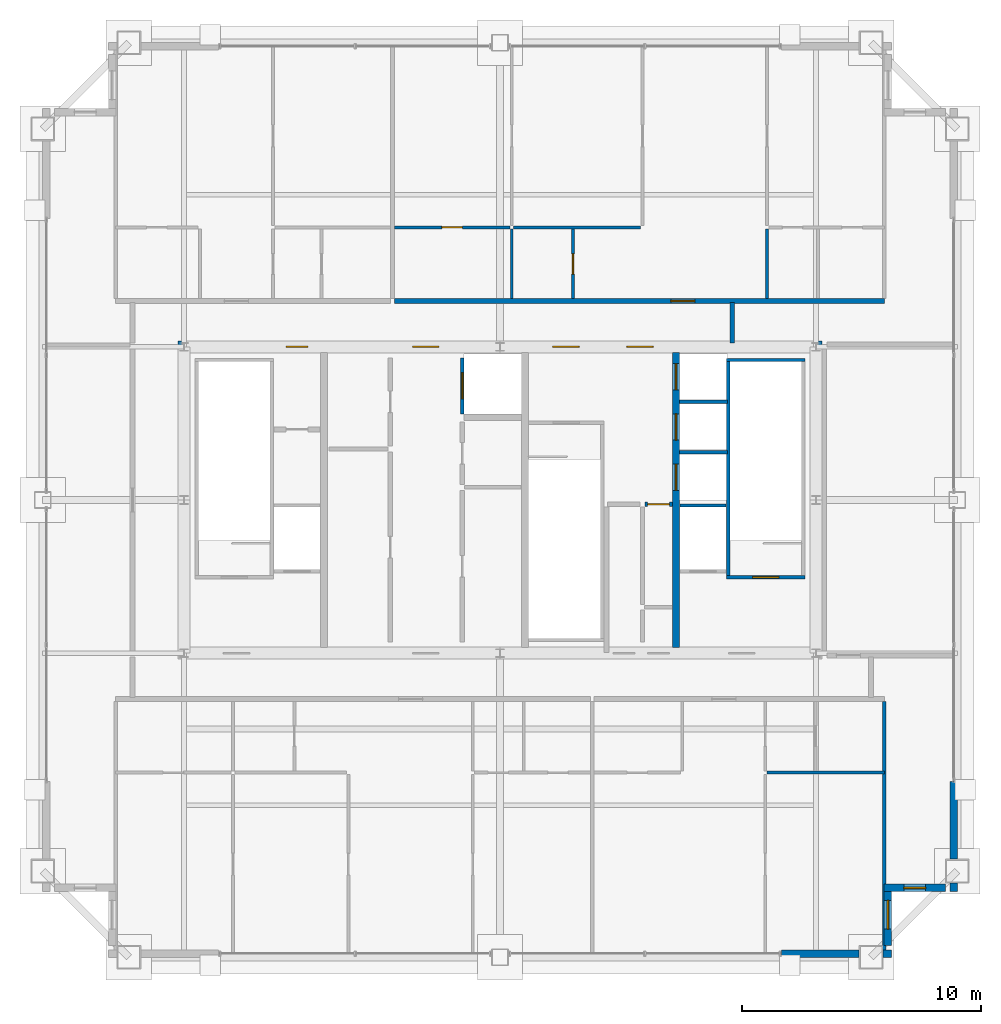
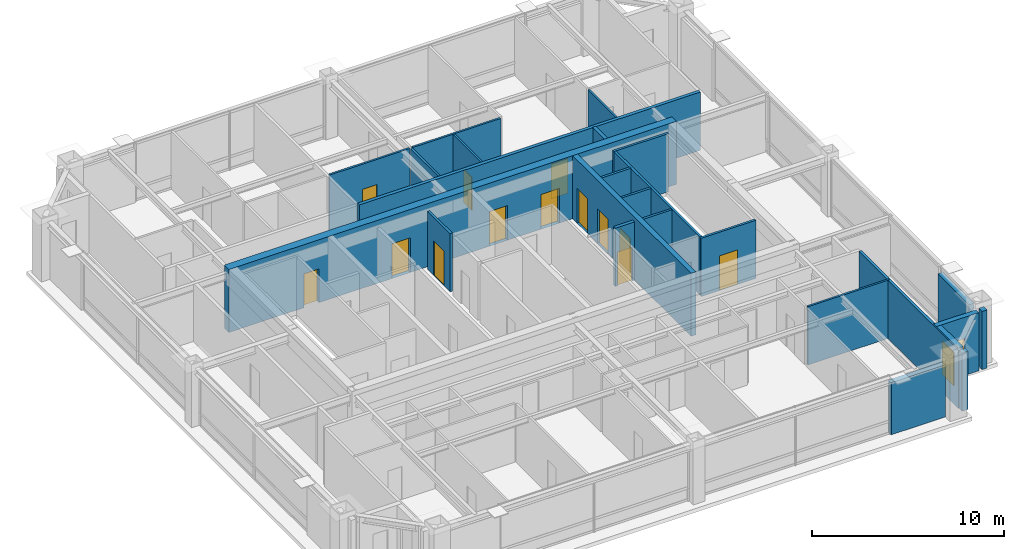
# One storey, part 32 of 34: 25 walls, 13 doors, 2 windows, 15 openings.
"""IFC4 building model written with IfcOpenShell, lengths in metres."""

from ifc_helpers import new_model, si_unit, direction, frame, frame_2d, origin, place, context, subcontext, project, spatial, rectangle, extrude, source, transform, mapped, material, layer, layer_set, type_object, element, fill, save


model = new_model("IFC4")

# Units and contexts
model_context = context("Model", 3, precision=1e-05, world=origin(), true_north=direction((0.0, 1.0)))
body_context = subcontext(model_context, "Body", "Model", "MODEL_VIEW")
ifc_project = project(units=[si_unit("LENGTHUNIT", "METRE"), si_unit("AREAUNIT", "SQUARE_METRE"), si_unit("VOLUMEUNIT", "CUBIC_METRE"), si_unit("PLANEANGLEUNIT", "RADIAN"), si_unit("MASSUNIT", "GRAM", prefix="KILO"), si_unit("THERMODYNAMICTEMPERATUREUNIT", "KELVIN"), si_unit("POWERUNIT", "WATT")], contexts=[model_context])

# Site, building, storey
site_placement = place(None, origin())
site = spatial("IfcSite", under=ifc_project, at=site_placement, CompositionType="ELEMENT")
building_placement = place(site_placement, origin())
building = spatial("IfcBuilding", under=site, at=building_placement, Name="Yuzanri Waterfront Tower", CompositionType="ELEMENT")
storey_placement = place(building_placement, frame((0.0, 0.0, 347.199951171875)))
storey = spatial("IfcBuildingStorey", under=building, at=storey_placement, Name="L93", CompositionType="ELEMENT", Elevation=347.199951171875)

# Wall, opening, door
ifc_material_1 = material(Name="Moisture-Resistant Gypsum Stud Wall", Category="gypsum")
ifc_layer_1 = layer(ifc_material_1, 0.1201171875)
ifc_layer_set_1 = layer_set([ifc_layer_1], Name="Moisture-Resistant Gypsum Stud Wall")
wall_type_1 = type_object("IfcWallType", Name="Bathroom and Kitchen Wet Partition 120", PredefinedType="PARTITIONING", material=ifc_layer_set_1)
wall_1_placement = place(storey_placement, frame((32.5830078125, 37.18994140625, 0.0), z_axis=(0.0, 0.0, 1.0), x_axis=(1.0, 0.0, 0.0)))
wall_1 = element("IfcWall", 1, at=wall_1_placement, inside=storey, type_object=wall_type_1, Name="L93 Partition UW-L93-HN2-SUB-1-N", PredefinedType="PARTITIONING", context=body_context, shape_type="SweptSolid", body=[
    extrude(rectangle(XDim=4.830078125, YDim=0.1201171875, at=frame_2d((2.4150390625, 0.0))), origin(), (0.0, 0.0, 1.0), 3.699951171875),
])
opening_1_placement = place(wall_1_placement, frame((1.989990234375, 0.0, 0.0)))
opening_1 = element("IfcOpeningElement", 2, at=opening_1_placement, cuts=wall_1, Name="Opening ID-0850", PredefinedType="OPENING", context=body_context, shape_type="SweptSolid", body=[
    extrude(rectangle(XDim=0.85009765625, YDim=2.10009765625, at=frame_2d((0.425048828125, 1.050048828125))), frame((0.0, 0.074951171875, 0.0), z_axis=(0.0, -1.0, 0.0), x_axis=(1.0, 0.0, 0.0)), (0.0, 0.0, 1.0), 0.14990234375),
])
ifc_material_2 = material(Name="Moisture-Resistant Lacquered Timber", Category="wood")
door_type_1 = type_object("IfcDoorType", Name="En-Suite Bathroom and Kitchen Swing Door 850x2100", OperationType="NOTDEFINED", PredefinedType="DOOR", material=ifc_material_2)
shared_shape_1 = source(origin(), body_context, "Body", "SweptSolid", [
    extrude(rectangle(XDim=0.85009765625, YDim=2.10009765625, at=frame_2d((0.425048828125, 1.050048828125))), frame((0.0, 0.02490234375, 0.0), z_axis=(0.0, -1.0, 0.0), x_axis=(1.0, 0.0, 0.0)), (0.0, 0.0, 1.0), 0.050048828125),
])
door_1_placement = place(opening_1_placement, origin())
door_1 = element("IfcDoor", 3, at=door_1_placement, inside=storey, type_object=door_type_1, Name="L93 Suite Interior Room Door", OperationType="SINGLE_SWING_LEFT", OverallHeight=2.10009765625, OverallWidth=0.85009765625, PredefinedType="DOOR", context=body_context, shape_type="MappedRepresentation", body=[
    mapped(shared_shape_1, transform((0.0, 0.0, 0.0), scale=1.0)),
])
fill(opening_1, door_1)

wall_2_placement = place(storey_placement, frame((40.052978515625, 34.2099609375, 0.0), z_axis=(0.0, 0.0, 1.0), x_axis=(0.0, 1.0, 0.0)))
wall_2 = element("IfcWall", 4, at=wall_2_placement, inside=storey, type_object=wall_type_1, Name="L93 Partition UW-L93-HN2-SUB-2-E", PredefinedType="PARTITIONING", context=body_context, shape_type="SweptSolid", body=[
    extrude(rectangle(XDim=2.900146484375, YDim=0.1201171875, at=frame_2d((1.4501953125, 0.0))), origin(), (0.0, 0.0, 1.0), 3.699951171875),
])
opening_2_placement = place(wall_2_placement, frame((1.02490234375, 0.0, 0.0)))
opening_2 = element("IfcOpeningElement", 5, at=opening_2_placement, cuts=wall_2, Name="Opening ID-0850", PredefinedType="OPENING", context=body_context, shape_type="SweptSolid", body=[
    extrude(rectangle(XDim=0.85009765625, YDim=2.10009765625, at=frame_2d((0.425048828125, 1.050048828125))), frame((0.0, 0.074951171875, 0.0), z_axis=(0.0, -1.0, 0.0), x_axis=(1.0, 0.0, 0.0)), (0.0, 0.0, 1.0), 0.14990234375),
])
door_2_placement = place(opening_2_placement, origin())
door_2 = element("IfcDoor", 6, at=door_2_placement, inside=storey, type_object=door_type_1, Name="L93 Suite Interior Room Door", OperationType="SINGLE_SWING_RIGHT", OverallHeight=2.10009765625, OverallWidth=0.85009765625, PredefinedType="DOOR", context=body_context, shape_type="MappedRepresentation", body=[
    mapped(shared_shape_1, transform((0.0, 0.0, 0.0), scale=1.0)),
])
fill(opening_2, door_2)

# Wall, opening, window
ifc_material_3 = material(Name="Honed Chongqing Dark Basalt Stone", Category="masonry")
ifc_layer_2 = layer(ifc_material_3, 0.300048828125)
ifc_layer_set_2 = layer_set([ifc_layer_2], Name="Honed Chongqing Dark Basalt Stone")
wall_type_2 = type_object("IfcWallType", Name="Bronze Rainscreen Insulated Spandrel Portal Wall 300", PredefinedType="SOLIDWALL", material=ifc_layer_set_2)
wall_3_placement = place(storey_placement, frame((53.050048828125, 9.60009765625, 0.0), z_axis=(0.0, 0.0, 1.0), x_axis=(1.0, 0.0, 0.0)))
wall_3 = element("IfcWall", 7, at=wall_3_placement, inside=storey, type_object=wall_type_2, Name="L93 Notched Corner Masonry Wall SE-X", PredefinedType="SOLIDWALL", context=body_context, shape_type="SweptSolid", body=[
    extrude(rectangle(XDim=2.550048828125, YDim=0.300048828125, at=frame_2d((1.27490234375, 0.0))), origin(), (0.0, 0.0, 1.0), 3.699951171875),
])
opening_3_placement = place(wall_3_placement, frame((0.824951171875, 0.0, 0.85009765625)))
opening_3 = element("IfcOpeningElement", 8, at=opening_3_placement, cuts=wall_3, Name="Opening WN-05", PredefinedType="OPENING", context=body_context, shape_type="SweptSolid", body=[
    extrude(rectangle(XDim=0.89990234375, YDim=1.5, at=frame_2d((0.449951171875, 0.75))), frame((0.0, 0.1650390625, 0.0), z_axis=(0.0, -1.0, 0.0), x_axis=(1.0, 0.0, 0.0)), (0.0, 0.0, 1.0), 0.329833984375),
])
ifc_material_4 = material(Name="Double-Silver Low-E Insulated Glass", Category="glass")
window_type_1 = type_object("IfcWindowType", Name="Anodized Bronze Service and Stairwell Smoke-Vent Window 900x1500", PartitioningType="SINGLE_PANEL", PredefinedType="WINDOW", material=ifc_material_4)
shared_shape_2 = source(origin(), body_context, "Body", "SweptSolid", [
    extrude(rectangle(XDim=0.89990234375, YDim=1.5, at=frame_2d((0.449951171875, 0.75))), frame((0.0, 0.030029296875, 0.0), z_axis=(0.0, -1.0, 0.0), x_axis=(1.0, 0.0, 0.0)), (0.0, 0.0, 1.0), 0.06005859375),
])
window_1_placement = place(opening_3_placement, origin())
window_1 = element("IfcWindow", 9, at=window_1_placement, inside=storey, type_object=window_type_1, Name="L93 Notched Corner Window SE-X", OverallHeight=1.5, OverallWidth=0.89990234375, PartitioningType="SINGLE_PANEL", PredefinedType="WINDOW", context=body_context, shape_type="MappedRepresentation", body=[
    mapped(shared_shape_2, transform((0.0, 0.0, 0.0), scale=1.0)),
])
fill(opening_3, window_1)

wall_4_placement = place(storey_placement, frame((53.199951171875, 7.199951171875, 0.0), z_axis=(0.0, 0.0, 1.0), x_axis=(0.0, 1.0, 0.0)))
wall_4 = element("IfcWall", 10, at=wall_4_placement, inside=storey, type_object=wall_type_2, Name="L93 Notched Corner Masonry Wall SE-Y", PredefinedType="SOLIDWALL", context=body_context, shape_type="SweptSolid", body=[
    extrude(rectangle(XDim=2.550048828125, YDim=0.300048828125, at=frame_2d((1.27490234375, 0.0))), origin(), (0.0, 0.0, 1.0), 3.699951171875),
])
opening_4_placement = place(wall_4_placement, frame((0.675048828125, 0.0, 0.85009765625)))
opening_4 = element("IfcOpeningElement", 11, at=opening_4_placement, cuts=wall_4, Name="Opening WN-02", PredefinedType="OPENING", context=body_context, shape_type="SweptSolid", body=[
    extrude(rectangle(XDim=1.199951171875, YDim=2.10009765625, at=frame_2d((0.60009765625, 1.050048828125))), frame((0.0, 0.1650390625, 0.0), z_axis=(0.0, -1.0, 0.0), x_axis=(1.0, 0.0, 0.0)), (0.0, 0.0, 1.0), 0.329833984375),
])
ifc_material_5 = material(Name="Double-Silver Low-E Insulated Glass", Category="glass")
window_type_2 = type_object("IfcWindowType", Name="Anodized Bronze Notched Corner Deep-Set Slot Window 1200x2100", PartitioningType="SINGLE_PANEL", PredefinedType="WINDOW", material=ifc_material_5)
shared_shape_3 = source(origin(), body_context, "Body", "SweptSolid", [
    extrude(rectangle(XDim=1.199951171875, YDim=2.10009765625, at=frame_2d((0.60009765625, 1.050048828125))), frame((0.0, 0.030029296875, 0.0), z_axis=(0.0, -1.0, 0.0), x_axis=(1.0, 0.0, 0.0)), (0.0, 0.0, 1.0), 0.06005859375),
])
window_2_placement = place(opening_4_placement, origin())
window_2 = element("IfcWindow", 12, at=window_2_placement, inside=storey, type_object=window_type_2, Name="L93 Notched Corner Window SE-Y", OverallHeight=2.10009765625, OverallWidth=1.199951171875, PartitioningType="SINGLE_PANEL", PredefinedType="WINDOW", context=body_context, shape_type="MappedRepresentation", body=[
    mapped(shared_shape_3, transform((0.0, 0.0, 0.0), scale=1.0)),
])
fill(opening_4, window_2)

# Wall, openings, doors
ifc_material_6 = material(Name="Concrete C45", Category="concrete")
ifc_layer_3 = layer(ifc_material_6, 0.47998046875)
ifc_layer_set_3 = layer_set([ifc_layer_3], Name="Concrete C45")
wall_type_3 = type_object("IfcWallType", Name="Concrete C45 High-Rise Core Shear Wall 480", PredefinedType="SHEAR", material=ifc_layer_set_3)
wall_5_placement = place(storey_placement, frame((23.56005859375, 32.199951171875, 0.0), z_axis=(0.0, 0.0, 1.0), x_axis=(1.0, 0.0, 0.0)))
wall_5 = element("IfcWall", 13, at=wall_5_placement, inside=storey, type_object=wall_type_3, Name="L93 Core North Shear Wall", PredefinedType="SHEAR", context=body_context, shape_type="SweptSolid", body=[
    extrude(rectangle(XDim=26.8798828125, YDim=0.47998046875, at=frame_2d((13.43994140625, 0.0))), origin(), (0.0, 0.0, 1.0), 4.0),
])
opening_5_placement = place(wall_5_placement, frame((4.510009765625, 0.0, 0.0)))
opening_5 = element("IfcOpeningElement", 14, at=opening_5_placement, cuts=wall_5, Name="Opening FD-0900", PredefinedType="OPENING", context=body_context, shape_type="SweptSolid", body=[
    extrude(rectangle(XDim=0.89990234375, YDim=2.14990234375, at=frame_2d((0.449951171875, 1.074951171875))), frame((0.0, 0.2548828125, 0.0), z_axis=(0.0, -1.0, 0.0), x_axis=(1.0, 0.0, 0.0)), (0.0, 0.0, 1.0), 0.509765625),
])
opening_6_placement = place(wall_5_placement, frame((9.7900390625, 0.0, 0.0)))
opening_6 = element("IfcOpeningElement", 15, at=opening_6_placement, cuts=wall_5, Name="Opening FD-1100", PredefinedType="OPENING", context=body_context, shape_type="SweptSolid", body=[
    extrude(rectangle(XDim=1.10009765625, YDim=2.199951171875, at=frame_2d((0.550048828125, 1.10009765625))), frame((0.0, 0.2548828125, 0.0), z_axis=(0.0, -1.0, 0.0), x_axis=(1.0, 0.0, 0.0)), (0.0, 0.0, 1.0), 0.509765625),
])
opening_7_placement = place(wall_5_placement, frame((15.639892578125, 0.0, 0.0)))
opening_7 = element("IfcOpeningElement", 16, at=opening_7_placement, cuts=wall_5, Name="Opening FD-1100", PredefinedType="OPENING", context=body_context, shape_type="SweptSolid", body=[
    extrude(rectangle(XDim=1.10009765625, YDim=2.199951171875, at=frame_2d((0.550048828125, 1.10009765625))), frame((0.0, 0.2548828125, 0.0), z_axis=(0.0, -1.0, 0.0), x_axis=(1.0, 0.0, 0.0)), (0.0, 0.0, 1.0), 0.509765625),
])
opening_8_placement = place(wall_5_placement, frame((18.739990234375, 0.0, 0.0)))
opening_8 = element("IfcOpeningElement", 17, at=opening_8_placement, cuts=wall_5, Name="Opening FD-1100", PredefinedType="OPENING", context=body_context, shape_type="SweptSolid", body=[
    extrude(rectangle(XDim=1.10009765625, YDim=2.199951171875, at=frame_2d((0.550048828125, 1.10009765625))), frame((0.0, 0.2548828125, 0.0), z_axis=(0.0, -1.0, 0.0), x_axis=(1.0, 0.0, 0.0)), (0.0, 0.0, 1.0), 0.509765625),
])
ifc_material_7 = material(Name="Painted Galvanized Fire Steel", Category="steel")
door_type_2 = type_object("IfcDoorType", Name="Smoke-Proof Stair and Lobby Fire Door 1100x2200", OperationType="NOTDEFINED", PredefinedType="DOOR", material=ifc_material_7)
shared_shape_4 = source(origin(), body_context, "Body", "SweptSolid", [
    extrude(rectangle(XDim=1.10009765625, YDim=2.199951171875, at=frame_2d((0.550048828125, 1.10009765625))), frame((0.0, 0.02490234375, 0.0), z_axis=(0.0, -1.0, 0.0), x_axis=(1.0, 0.0, 0.0)), (0.0, 0.0, 1.0), 0.050048828125),
])
door_3_placement = place(opening_6_placement, origin())
door_3 = element("IfcDoor", 18, at=door_3_placement, inside=storey, type_object=door_type_2, Name="L93 Central Lift Lobby North Door", OperationType="SINGLE_SWING_LEFT", OverallHeight=2.199951171875, OverallWidth=1.10009765625, PredefinedType="DOOR", context=body_context, shape_type="MappedRepresentation", body=[
    mapped(shared_shape_4, transform((0.0, 0.0, 0.0), scale=1.0)),
])
fill(opening_6, door_3)
door_4_placement = place(opening_7_placement, origin())
door_4 = element("IfcDoor", 19, at=door_4_placement, inside=storey, type_object=door_type_2, Name="L93 North Stair Lobby Door", OperationType="SINGLE_SWING_RIGHT", OverallHeight=2.199951171875, OverallWidth=1.10009765625, PredefinedType="DOOR", context=body_context, shape_type="MappedRepresentation", body=[
    mapped(shared_shape_4, transform((0.0, 0.0, 0.0), scale=1.0)),
])
fill(opening_7, door_4)
door_5_placement = place(opening_8_placement, origin())
door_5 = element("IfcDoor", 20, at=door_5_placement, inside=storey, type_object=door_type_2, Name="L93 High-Rise Lift Lobby North Door", OperationType="SINGLE_SWING_LEFT", OverallHeight=2.199951171875, OverallWidth=1.10009765625, PredefinedType="DOOR", context=body_context, shape_type="MappedRepresentation", body=[
    mapped(shared_shape_4, transform((0.0, 0.0, 0.0), scale=1.0)),
])
fill(opening_8, door_5)
ifc_material_8 = material(Name="Painted Galvanized Fire Steel", Category="steel")
door_type_3 = type_object("IfcDoorType", Name="Riser and Service Room Fire Door 900x2150", OperationType="NOTDEFINED", PredefinedType="DOOR", material=ifc_material_8)
shared_shape_5 = source(origin(), body_context, "Body", "SweptSolid", [
    extrude(rectangle(XDim=0.89990234375, YDim=2.14990234375, at=frame_2d((0.449951171875, 1.074951171875))), frame((0.0, 0.02490234375, 0.0), z_axis=(0.0, -1.0, 0.0), x_axis=(1.0, 0.0, 0.0)), (0.0, 0.0, 1.0), 0.050048828125),
])
door_6_placement = place(opening_5_placement, origin())
door_6 = element("IfcDoor", 21, at=door_6_placement, inside=storey, type_object=door_type_3, Name="L93 Telecom Riser Door", OperationType="SINGLE_SWING_RIGHT", OverallHeight=2.14990234375, OverallWidth=0.89990234375, PredefinedType="DOOR", context=body_context, shape_type="MappedRepresentation", body=[
    mapped(shared_shape_5, transform((0.0, 0.0, 0.0), scale=1.0)),
])
fill(opening_5, door_6)

ifc_material_9 = material(Name="Concrete C50", Category="concrete")
ifc_layer_4 = layer(ifc_material_9, 0.300048828125)
ifc_layer_set_4 = layer_set([ifc_layer_4], Name="Concrete C50")
wall_type_4 = type_object("IfcWallType", Name="Concrete C50 Internal Core Shaft Structural Wall 300", PredefinedType="SOLIDWALL", material=ifc_layer_set_4)
wall_6_placement = place(storey_placement, frame((44.35009765625, 19.639892578125, 0.0), z_axis=(0.0, 0.0, 1.0), x_axis=(0.0, 1.0, 0.0)))
wall_6 = element("IfcWall", 22, at=wall_6_placement, inside=storey, type_object=wall_type_4, Name="L93 Core Internal Structural Web Wall 3", PredefinedType="SOLIDWALL", context=body_context, shape_type="SweptSolid", body=[
    extrude(rectangle(XDim=12.320068359375, YDim=0.300048828125, at=frame_2d((6.16015625, 0.0))), origin(), (0.0, 0.0, 1.0), 4.0),
])
opening_9_placement = place(wall_6_placement, frame((6.56005859375, 0.0, 0.0)))
opening_9 = element("IfcOpeningElement", 23, at=opening_9_placement, cuts=wall_6, Name="Opening LD-PL-09", PredefinedType="OPENING", context=body_context, shape_type="SweptSolid", body=[
    extrude(rectangle(XDim=1.10009765625, YDim=2.199951171875, at=frame_2d((0.550048828125, 1.10009765625))), frame((0.0, 0.1650390625, 0.0), z_axis=(0.0, -1.0, 0.0), x_axis=(1.0, 0.0, 0.0)), (0.0, 0.0, 1.0), 0.329833984375),
])
opening_10_placement = place(wall_6_placement, frame((8.659912109375, 0.0, 0.0)))
opening_10 = element("IfcOpeningElement", 24, at=opening_10_placement, cuts=wall_6, Name="Opening LD-PL-10", PredefinedType="OPENING", context=body_context, shape_type="SweptSolid", body=[
    extrude(rectangle(XDim=1.10009765625, YDim=2.199951171875, at=frame_2d((0.550048828125, 1.10009765625))), frame((0.0, 0.1650390625, 0.0), z_axis=(0.0, -1.0, 0.0), x_axis=(1.0, 0.0, 0.0)), (0.0, 0.0, 1.0), 0.329833984375),
])
opening_11_placement = place(wall_6_placement, frame((10.760009765625, 0.0, 0.0)))
opening_11 = element("IfcOpeningElement", 25, at=opening_11_placement, cuts=wall_6, Name="Opening LD-PL-11", PredefinedType="OPENING", context=body_context, shape_type="SweptSolid", body=[
    extrude(rectangle(XDim=1.10009765625, YDim=2.199951171875, at=frame_2d((0.550048828125, 1.10009765625))), frame((0.0, 0.1650390625, 0.0), z_axis=(0.0, -1.0, 0.0), x_axis=(1.0, 0.0, 0.0)), (0.0, 0.0, 1.0), 0.329833984375),
])
ifc_material_10 = material(Name="Brushed Bronze and Stainless Steel Cab", Category="steel")
door_type_4 = type_object("IfcDoorType", Name="Center-Parting Bronze Lift Landing Sliding Door 1100x2200", OperationType="NOTDEFINED", PredefinedType="DOOR", material=ifc_material_10)
shared_shape_6 = source(origin(), body_context, "Body", "SweptSolid", [
    extrude(rectangle(XDim=1.10009765625, YDim=2.199951171875, at=frame_2d((0.550048828125, 1.10009765625))), frame((0.0, 0.02490234375, 0.0), z_axis=(0.0, -1.0, 0.0), x_axis=(1.0, 0.0, 0.0)), (0.0, 0.0, 1.0), 0.050048828125),
])
door_7_placement = place(opening_9_placement, origin())
door_7 = element("IfcDoor", 26, at=door_7_placement, inside=storey, type_object=door_type_4, Name="L93 PL-09 Lift Landing Sliding Door", OperationType="SLIDING_TO_LEFT", OverallHeight=2.199951171875, OverallWidth=1.10009765625, PredefinedType="DOOR", context=body_context, shape_type="MappedRepresentation", body=[
    mapped(shared_shape_6, transform((0.0, 0.0, 0.0), scale=1.0)),
])
fill(opening_9, door_7)
door_8_placement = place(opening_10_placement, origin())
door_8 = element("IfcDoor", 27, at=door_8_placement, inside=storey, type_object=door_type_4, Name="L93 PL-10 Lift Landing Sliding Door", OperationType="SLIDING_TO_RIGHT", OverallHeight=2.199951171875, OverallWidth=1.10009765625, PredefinedType="DOOR", context=body_context, shape_type="MappedRepresentation", body=[
    mapped(shared_shape_6, transform((0.0, 0.0, 0.0), scale=1.0)),
])
fill(opening_10, door_8)
door_9_placement = place(opening_11_placement, origin())
door_9 = element("IfcDoor", 28, at=door_9_placement, inside=storey, type_object=door_type_4, Name="L93 PL-11 Lift Landing Sliding Door", OperationType="SLIDING_TO_LEFT", OverallHeight=2.199951171875, OverallWidth=1.10009765625, PredefinedType="DOOR", context=body_context, shape_type="MappedRepresentation", body=[
    mapped(shared_shape_6, transform((0.0, 0.0, 0.0), scale=1.0)),
])
fill(opening_11, door_9)

# Wall, opening, door
ifc_material_11 = material(Name="Concrete C40", Category="concrete")
ifc_layer_5 = layer(ifc_material_11, 0.139892578125)
ifc_layer_set_5 = layer_set([ifc_layer_5], Name="Concrete C40")
wall_type_5 = type_object("IfcWallType", Name="Core Stair Liner and Hoistway Shaft Wall 140", PredefinedType="SOLIDWALL", material=ifc_layer_set_5)
wall_7_placement = place(storey_placement, frame((35.429931640625, 29.39990234375, 0.0), z_axis=(0.0, 0.0, 1.0), x_axis=(0.0, 1.0, 0.0)))
wall_7 = element("IfcWall", 29, at=wall_7_placement, inside=storey, type_object=wall_type_5, Name="L93 Lift SL-02 Front Shaft Wall", PredefinedType="SOLIDWALL", context=body_context, shape_type="SweptSolid", body=[
    extrude(rectangle(XDim=2.340087890625, YDim=0.139892578125, at=frame_2d((1.169921875, 0.0))), origin(), (0.0, 0.0, 1.0), 3.699951171875),
])
opening_12_placement = place(wall_7_placement, frame((0.6201171875, 0.0, 0.0)))
opening_12 = element("IfcOpeningElement", 30, at=opening_12_placement, cuts=wall_7, Name="Opening LD-SL-02", PredefinedType="OPENING", context=body_context, shape_type="SweptSolid", body=[
    extrude(rectangle(XDim=1.10009765625, YDim=2.199951171875, at=frame_2d((0.550048828125, 1.10009765625))), frame((0.0, 0.0849609375, 0.0), z_axis=(0.0, -1.0, 0.0), x_axis=(1.0, 0.0, 0.0)), (0.0, 0.0, 1.0), 0.169677734375),
])
door_10_placement = place(opening_12_placement, origin())
door_10 = element("IfcDoor", 31, at=door_10_placement, inside=storey, type_object=door_type_4, Name="L93 SL-02 Lift Landing Sliding Door", OperationType="SLIDING_TO_RIGHT", OverallHeight=2.199951171875, OverallWidth=1.10009765625, PredefinedType="DOOR", context=body_context, shape_type="MappedRepresentation", body=[
    mapped(shared_shape_6, transform((0.0, 0.0, 0.0), scale=1.0)),
])
fill(opening_12, door_10)

wall_8_placement = place(storey_placement, frame((46.4599609375, 22.570068359375, 0.0), z_axis=(0.0, 0.0, 1.0), x_axis=(1.0, 0.0, 0.0)))
wall_8 = element("IfcWall", 32, at=wall_8_placement, inside=storey, type_object=wall_type_5, Name="L93 Shaft Wall STW-L93-ST-02-S", PredefinedType="SOLIDWALL", context=body_context, shape_type="SweptSolid", body=[
    extrude(rectangle(XDim=3.280029296875, YDim=0.139892578125, at=frame_2d((1.64013671875, 0.0))), origin(), (0.0, 0.0, 1.0), 3.699951171875),
])
opening_13_placement = place(wall_8_placement, frame((1.090087890625, 0.0, 0.0)))
opening_13 = element("IfcOpeningElement", 33, at=opening_13_placement, cuts=wall_8, Name="Opening FD-1100", PredefinedType="OPENING", context=body_context, shape_type="SweptSolid", body=[
    extrude(rectangle(XDim=1.10009765625, YDim=2.199951171875, at=frame_2d((0.550048828125, 1.10009765625))), frame((0.0, 0.0849609375, 0.0), z_axis=(0.0, -1.0, 0.0), x_axis=(1.0, 0.0, 0.0)), (0.0, 0.0, 1.0), 0.169677734375),
])
door_11_placement = place(opening_13_placement, origin())
door_11 = element("IfcDoor", 34, at=door_11_placement, inside=storey, type_object=door_type_2, Name="L93 Stair ST-02 Fire Door", OperationType="SINGLE_SWING_LEFT", OverallHeight=2.199951171875, OverallWidth=1.10009765625, PredefinedType="DOOR", context=body_context, shape_type="MappedRepresentation", body=[
    mapped(shared_shape_4, transform((0.0, 0.0, 0.0), scale=1.0)),
])
fill(opening_13, door_11)

ifc_material_12 = material(Name="Autoclaved Aerated Concrete Blockwork", Category="masonry")
ifc_layer_6 = layer(ifc_material_12, 0.199951171875)
ifc_layer_set_6 = layer_set([ifc_layer_6], Name="Autoclaved Aerated Concrete Blockwork")
wall_type_6 = type_object("IfcWallType", Name="Corridor and Unit Party Fire Wall 200", PredefinedType="PARTITIONING", material=ifc_layer_set_6)
wall_9_placement = place(storey_placement, frame((43.050048828125, 25.6201171875, 0.0), z_axis=(0.0, 0.0, 1.0), x_axis=(1.0, 0.0, 0.0)))
wall_9 = element("IfcWall", 35, at=wall_9_placement, inside=storey, type_object=wall_type_6, Name="L93 Partition CRW-L93-BOHH-2", PredefinedType="PARTITIONING", context=body_context, shape_type="SweptSolid", body=[
    extrude(rectangle(XDim=1.14990234375, YDim=0.199951171875, at=frame_2d((0.574951171875, 0.0))), origin(), (0.0, 0.0, 1.0), 3.699951171875),
])
opening_14_placement = place(wall_9_placement, frame((0.1201171875, 0.0, 0.0)))
opening_14 = element("IfcOpeningElement", 36, at=opening_14_placement, cuts=wall_9, Name="Opening FD-0900", PredefinedType="OPENING", context=body_context, shape_type="SweptSolid", body=[
    extrude(rectangle(XDim=0.89990234375, YDim=2.14990234375, at=frame_2d((0.449951171875, 1.074951171875))), frame((0.0, 0.11474609375, 0.0), z_axis=(0.0, -1.0, 0.0), x_axis=(1.0, 0.0, 0.0)), (0.0, 0.0, 1.0), 0.229736328125),
])
door_12_placement = place(opening_14_placement, origin())
door_12 = element("IfcDoor", 37, at=door_12_placement, inside=storey, type_object=door_type_3, Name="L93 Linen Store Room", OperationType="SINGLE_SWING_LEFT", OverallHeight=2.14990234375, OverallWidth=0.89990234375, PredefinedType="DOOR", context=body_context, shape_type="MappedRepresentation", body=[
    mapped(shared_shape_5, transform((0.0, 0.0, 0.0), scale=1.0)),
])
fill(opening_14, door_12)

wall_10_placement = place(storey_placement, frame((32.5830078125, 34.110107421875, 0.0), z_axis=(0.0, 0.0, 1.0), x_axis=(1.0, 0.0, 0.0)))
wall_10 = element("IfcWall", 38, at=wall_10_placement, inside=storey, type_object=wall_type_6, Name="L93 Partition UW-L93-HN2-CS", PredefinedType="PARTITIONING", context=body_context, shape_type="SweptSolid", body=[
    extrude(rectangle(XDim=20.47705078125, YDim=0.199951171875, at=frame_2d((10.238525390625, 0.0))), origin(), (0.0, 0.0, 1.0), 3.699951171875),
])
opening_15_placement = place(wall_10_placement, frame((11.556884765625, 0.0, 0.0)))
opening_15 = element("IfcOpeningElement", 39, at=opening_15_placement, cuts=wall_10, Name="Opening FD-1000", PredefinedType="OPENING", context=body_context, shape_type="SweptSolid", body=[
    extrude(rectangle(XDim=1.0, YDim=2.199951171875, at=frame_2d((0.5, 1.10009765625))), frame((0.0, 0.11474609375, 0.0), z_axis=(0.0, -1.0, 0.0), x_axis=(1.0, 0.0, 0.0)), (0.0, 0.0, 1.0), 0.229736328125),
])
ifc_material_13 = material(Name="Engineered Oak Fire-Rated Timber", Category="wood")
door_type_5 = type_object("IfcDoorType", Name="Guestroom and Apartment Entrance Fire Door 1000x2200", OperationType="NOTDEFINED", PredefinedType="DOOR", material=ifc_material_13)
shared_shape_7 = source(origin(), body_context, "Body", "SweptSolid", [
    extrude(rectangle(XDim=1.0, YDim=2.199951171875, at=frame_2d((0.5, 1.10009765625))), frame((0.0, 0.02490234375, 0.0), z_axis=(0.0, -1.0, 0.0), x_axis=(1.0, 0.0, 0.0)), (0.0, 0.0, 1.0), 0.050048828125),
])
door_13_placement = place(opening_15_placement, origin())
door_13 = element("IfcDoor", 40, at=door_13_placement, inside=storey, type_object=door_type_5, Name="L93 Penthouse Grand Living Salon Entrance Door", OperationType="SINGLE_SWING_RIGHT", OverallHeight=2.199951171875, OverallWidth=1.0, PredefinedType="DOOR", context=body_context, shape_type="MappedRepresentation", body=[
    mapped(shared_shape_7, transform((0.0, 0.0, 0.0), scale=1.0)),
])
fill(opening_15, door_13)

# Walls
shared_shape_8 = source(origin(), body_context, "Body", "SweptSolid", [
    extrude(rectangle(XDim=0.35009765625, YDim=0.300048828125, at=frame_2d((0.175048828125, 0.0))), origin(), (0.0, 0.0, 1.0), 3.699951171875),
])
for number, where, z_axis, x_axis, name in (
    (41, (53.0, 6.85009765625, 0.0), (0.0, 0.0, 1.0), (1.0, 0.0, 0.0), "L93 Corner Column Shoulder Return CSE"),
    (42, (55.949951171875, 9.449951171875, 0.0), (0.0, 0.0, 1.0), (0.0, 1.0, 0.0), "L93 Corner Column Shoulder Return CES"),
):
    element("IfcWall", number, at=place(storey_placement, frame(where, z_axis=z_axis, x_axis=x_axis)), inside=storey, type_object=wall_type_2, Name=name, PredefinedType="SOLIDWALL", context=body_context, shape_type="MappedRepresentation", body=[
        mapped(shared_shape_8, transform((0.0, 0.0, 0.0), scale=1.0)),
    ])
shared_shape_9 = source(origin(), body_context, "Body", "SweptSolid", [
    extrude(rectangle(XDim=3.25, YDim=0.300048828125, at=frame_2d((1.625, 0.0))), origin(), (0.0, 0.0, 1.0), 3.304931640625),
])
for number, where, z_axis, x_axis, name in (
    (43, (48.75, 6.85009765625, 0.0), (0.0, 0.0, 1.0), (1.0, 0.0, 0.0), "L93 S Right Braced Masonry Shoulder"),
    (44, (55.949951171875, 10.800048828125, 0.0), (0.0, 0.0, 1.0), (0.0, 1.0, 0.0), "L93 E Left Braced Masonry Shoulder"),
):
    element("IfcWall", number, at=place(storey_placement, frame(where, z_axis=z_axis, x_axis=x_axis)), inside=storey, type_object=wall_type_2, Name=name, PredefinedType="SOLIDWALL", context=body_context, shape_type="MappedRepresentation", body=[
        mapped(shared_shape_9, transform((0.0, 0.0, 0.0), scale=1.0)),
    ])
shared_shape_10 = source(origin(), body_context, "Body", "SweptSolid", [
    extrude(rectangle(XDim=1.919921875, YDim=0.139892578125, at=frame_2d((0.9599609375, 0.0))), origin(), (0.0, 0.0, 1.0), 3.699951171875),
])
wall_11_placement = place(storey_placement, frame((44.52001953125, 25.570068359375, 0.0), z_axis=(0.0, 0.0, 1.0), x_axis=(1.0, 0.0, 0.0)))
element("IfcWall", 45, at=wall_11_placement, inside=storey, type_object=wall_type_5, Name="L93 Lift FL-02 Back Shaft Wall", PredefinedType="SOLIDWALL", context=body_context, shape_type="MappedRepresentation", body=[
    mapped(shared_shape_10, transform((0.0, 0.0, 0.0), scale=1.0)),
])
shared_shape_11 = source(origin(), body_context, "Body", "SweptSolid", [
    extrude(rectangle(XDim=2.0, YDim=0.139892578125, at=frame_2d((1.0, 0.0))), origin(), (0.0, 0.0, 1.0), 3.699951171875),
])
for number, where, z_axis, x_axis, name in (
    (46, (44.5, 27.800048828125, 0.0), (0.0, 0.0, 1.0), (1.0, 0.0, 0.0), "L93 Lift PL-09 Divider Wall"),
    (47, (44.5, 29.89990234375, 0.0), (0.0, 0.0, 1.0), (1.0, 0.0, 0.0), "L93 Lift PL-10 Divider Wall"),
):
    element("IfcWall", number, at=place(storey_placement, frame(where, z_axis=z_axis, x_axis=x_axis)), inside=storey, type_object=wall_type_5, Name=name, PredefinedType="SOLIDWALL", context=body_context, shape_type="MappedRepresentation", body=[
        mapped(shared_shape_11, transform((0.0, 0.0, 0.0), scale=1.0)),
    ])
shared_shape_12 = source(origin(), body_context, "Body", "SweptSolid", [
    extrude(rectangle(XDim=3.280029296875, YDim=0.139892578125, at=frame_2d((1.64013671875, 0.0))), origin(), (0.0, 0.0, 1.0), 3.699951171875),
])
wall_12_placement = place(storey_placement, frame((46.4599609375, 31.64990234375, 0.0), z_axis=(0.0, 0.0, 1.0), x_axis=(1.0, 0.0, 0.0)))
element("IfcWall", 48, at=wall_12_placement, inside=storey, type_object=wall_type_5, Name="L93 Stair ST-02 North Shaft Wall", PredefinedType="SOLIDWALL", context=body_context, shape_type="MappedRepresentation", body=[
    mapped(shared_shape_12, transform((0.0, 0.0, 0.0), scale=1.0)),
])
shared_shape_13 = source(origin(), body_context, "Body", "SweptSolid", [
    extrude(rectangle(XDim=8.940185546875, YDim=0.139892578125, at=frame_2d((4.47021484375, 0.0))), origin(), (0.0, 0.0, 1.0), 3.699951171875),
])
wall_13_placement = place(storey_placement, frame((46.530029296875, 22.639892578125, 0.0), z_axis=(0.0, 0.0, 1.0), x_axis=(0.0, 1.0, 0.0)))
element("IfcWall", 49, at=wall_13_placement, inside=storey, type_object=wall_type_5, Name="L93 Stair ST-02 West Shaft Wall", PredefinedType="SOLIDWALL", context=body_context, shape_type="MappedRepresentation", body=[
    mapped(shared_shape_13, transform((0.0, 0.0, 0.0), scale=1.0)),
])
shared_shape_14 = source(origin(), body_context, "Body", "SweptSolid", [
    extrude(rectangle(XDim=1.699951171875, YDim=0.199951171875, at=frame_2d((0.85009765625, 0.0))), origin(), (0.0, 0.0, 1.0), 3.699951171875),
])
wall_14_placement = place(storey_placement, frame((46.699951171875, 32.35009765625, 0.0), z_axis=(0.0, 0.0, 1.0), x_axis=(0.0, 1.0, 0.0)))
element("IfcWall", 50, at=wall_14_placement, inside=storey, type_object=wall_type_6, Name="L93 North Foyer East End Wall", PredefinedType="PARTITIONING", context=body_context, shape_type="MappedRepresentation", body=[
    mapped(shared_shape_14, transform((0.0, 0.0, 0.0), scale=1.0)),
])
ifc_material_14 = material(Name="Gypsum Fireboard Acoustic Stud Wall", Category="gypsum")
ifc_layer_7 = layer(ifc_material_14, 0.159912109375)
ifc_layer_set_7 = layer_set([ifc_layer_7], Name="Gypsum Fireboard Acoustic Stud Wall")
wall_type_7 = type_object("IfcWallType", Name="Acoustic Suite Demising Partition 160", PredefinedType="PARTITIONING", material=ifc_layer_set_7)
shared_shape_15 = source(origin(), body_context, "Body", "SweptSolid", [
    extrude(rectangle(XDim=10.389892578125, YDim=0.159912109375, at=frame_2d((5.19482421875, 0.0))), origin(), (0.0, 0.0, 1.0), 3.699951171875),
])
wall_15_placement = place(storey_placement, frame((53.050048828125, 7.0, 0.0), z_axis=(0.0, 0.0, 1.0), x_axis=(0.0, 1.0, 0.0)))
element("IfcWall", 51, at=wall_15_placement, inside=storey, type_object=wall_type_7, Name="L93 South Band East End Wall", PredefinedType="PARTITIONING", context=body_context, shape_type="MappedRepresentation", body=[
    mapped(shared_shape_15, transform((0.0, 0.0, 0.0), scale=1.0)),
])
shared_shape_16 = source(origin(), body_context, "Body", "SweptSolid", [
    extrude(rectangle(XDim=4.89794921875, YDim=0.1201171875, at=frame_2d((2.448974609375, 0.0))), origin(), (0.0, 0.0, 1.0), 3.699951171875),
])
wall_16_placement = place(storey_placement, frame((48.162109375, 14.409912109375, 0.0), z_axis=(0.0, 0.0, 1.0), x_axis=(1.0, 0.0, 0.0)))
element("IfcWall", 52, at=wall_16_placement, inside=storey, type_object=wall_type_1, Name="L93 Partition UW-L93-HS2-SUB-3-N", PredefinedType="PARTITIONING", context=body_context, shape_type="MappedRepresentation", body=[
    mapped(shared_shape_16, transform((0.0, 0.0, 0.0), scale=1.0)),
])
shared_shape_17 = source(origin(), body_context, "Body", "SweptSolid", [
    extrude(rectangle(XDim=2.900146484375, YDim=0.1201171875, at=frame_2d((1.4501953125, 0.0))), origin(), (0.0, 0.0, 1.0), 3.699951171875),
])
for number, where, z_axis, x_axis, name in (
    (53, (37.492919921875, 34.2099609375, 0.0), (0.0, 0.0, 1.0), (0.0, 1.0, 0.0), "L93 Partition UW-L93-HN2-SUB-1-E"),
    (54, (48.14990234375, 34.2099609375, 0.0), (0.0, 0.0, 1.0), (0.0, 1.0, 0.0), "L93 Partition UW-L93-HN2-SUB-4-W"),
):
    element("IfcWall", number, at=place(storey_placement, frame(where, z_axis=z_axis, x_axis=x_axis)), inside=storey, type_object=wall_type_1, Name=name, PredefinedType="PARTITIONING", context=body_context, shape_type="MappedRepresentation", body=[
        mapped(shared_shape_17, transform((0.0, 0.0, 0.0), scale=1.0)),
    ])
shared_shape_18 = source(origin(), body_context, "Body", "SweptSolid", [
    extrude(rectangle(XDim=5.297119140625, YDim=0.1201171875, at=frame_2d((2.6484375, 0.0))), origin(), (0.0, 0.0, 1.0), 3.699951171875),
])
wall_17_placement = place(storey_placement, frame((37.572998046875, 37.18994140625, 0.0), z_axis=(0.0, 0.0, 1.0), x_axis=(1.0, 0.0, 0.0)))
element("IfcWall", 55, at=wall_17_placement, inside=storey, type_object=wall_type_1, Name="L93 Partition UW-L93-HN2-SUB-7-S", PredefinedType="PARTITIONING", context=body_context, shape_type="MappedRepresentation", body=[
    mapped(shared_shape_18, transform((0.0, 0.0, 0.0), scale=1.0)),
])

save(model, "model.ifc")
